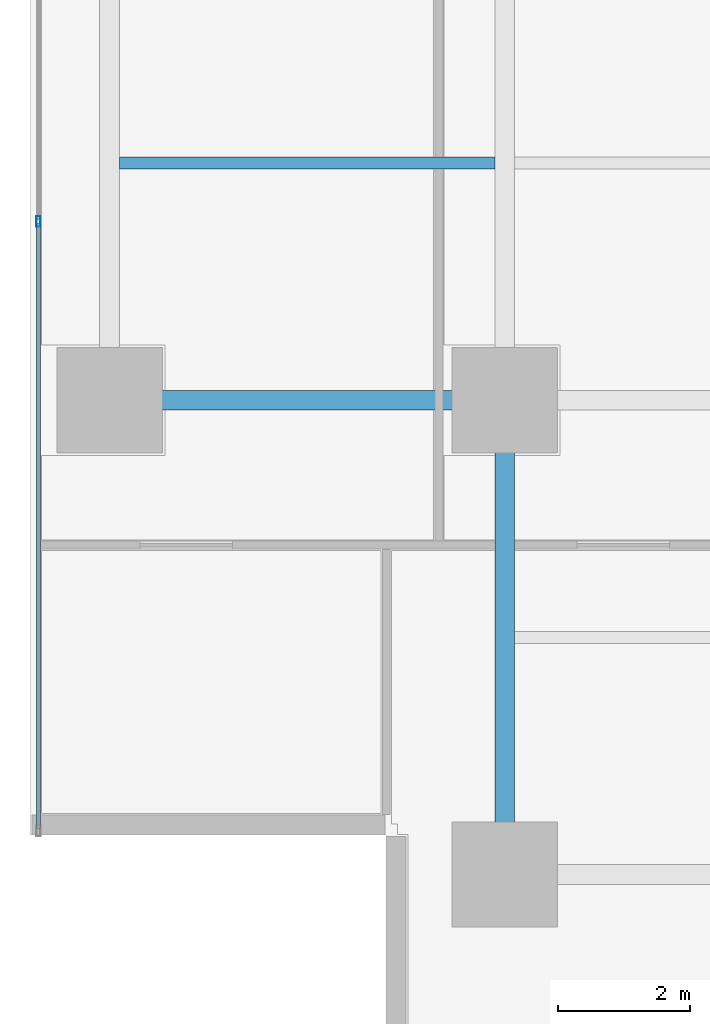
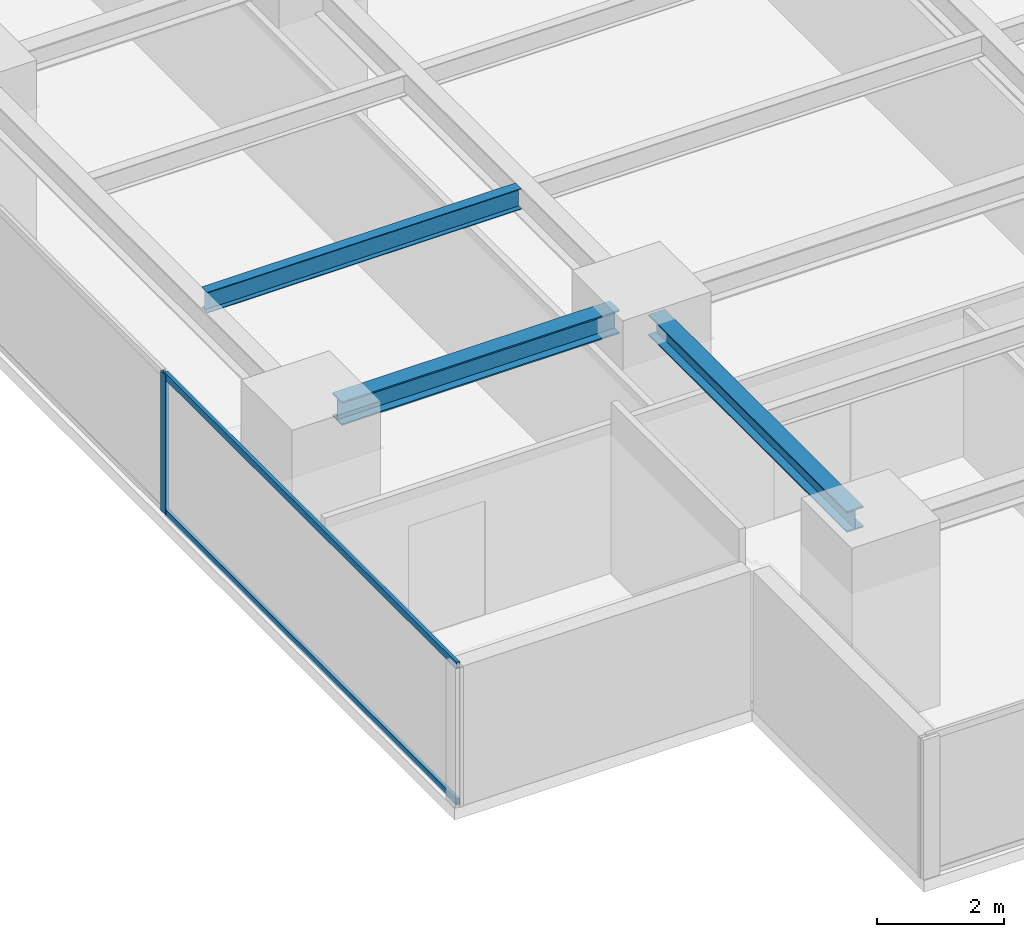
# One storey, part 3 of 28: 3 beams, 3 members, 1 element without a shape of its own.
"""IFC4 building model written with IfcOpenShell, lengths in metres."""

from ifc_helpers import new_model, si_unit, direction, frame, origin, origin_2d, place, context, subcontext, project, spatial, hollow_rectangle, i_section, extrude, source, transform, mapped, material, layer, layer_set, material_profile, profile_set, type_object, element, aggregate, save


model = new_model("IFC4")

# Units and contexts
model_context = context("Model", 3, precision=1e-05, world=origin(), true_north=direction((0.0, 1.0)))
body_context = subcontext(model_context, "Body", "Model", "MODEL_VIEW")
ifc_project = project(units=[si_unit("LENGTHUNIT", "METRE"), si_unit("AREAUNIT", "SQUARE_METRE"), si_unit("VOLUMEUNIT", "CUBIC_METRE"), si_unit("PLANEANGLEUNIT", "RADIAN"), si_unit("MASSUNIT", "GRAM", prefix="KILO")], contexts=[model_context])

# Site, building, storey
site_placement = place(None, origin())
site = spatial("IfcSite", under=ifc_project, at=site_placement, CompositionType="ELEMENT")
building_placement = place(site_placement, origin())
building = spatial("IfcBuilding", under=site, at=building_placement, Name="Sumidabori Civic Tower", CompositionType="ELEMENT")
storey_placement = place(building_placement, frame((0.0, 0.0, 185.60009765625)))
storey = spatial("IfcBuildingStorey", under=building, at=storey_placement, Name="L48", CompositionType="ELEMENT", Elevation=185.60009765625)

# Beams
ifc_material_1 = material(Name="Steel SN490", Category="steel")
ifc_material_profile_1 = material_profile(ifc_material_1, i_section(OverallWidth=0.300048828125, OverallDepth=0.39990234375, WebThickness=0.013427734375, FlangeThickness=0.02392578125, at=origin_2d()), Name="HE 400 B")
ifc_profile_set_1 = profile_set([ifc_material_profile_1], Name="Steel SN490")
beam_type_1 = type_object("IfcBeamType", Name="BM-GIRD-400", PredefinedType="BEAM", material=ifc_profile_set_1)
shared_shape_1 = source(origin(), body_context, "Body", "SweptSolid", [
    extrude(i_section(OverallWidth=0.300048828125, OverallDepth=0.39990234375, WebThickness=0.013427734375, FlangeThickness=0.02392578125, at=origin_2d()), origin(), (0.0, 0.0, 1.0), 6.239990234375),
])
beam_1_placement = place(storey_placement, frame((-16.800048828125, -17.52001953125, 3.099853515625), z_axis=(0.0, 1.0, 0.0), x_axis=(-1.0, 0.0, 0.0)))
element("IfcBeam", 1, at=beam_1_placement, inside=storey, type_object=beam_type_1, Name="Primary Girder L48 GY-22", PredefinedType="BEAM", context=body_context, shape_type="MappedRepresentation", body=[
    mapped(shared_shape_1, transform((0.0, 0.0, 0.0), x_axis=(1.0, 0.0, 0.0), y_axis=(0.0, 1.0, 0.0), z_axis=(0.0, 0.0, 1.0), scale=1.0)),
])
ifc_material_profile_2 = material_profile(ifc_material_1, i_section(OverallWidth=0.179931640625, OverallDepth=0.39990234375, WebThickness=0.008544921875, FlangeThickness=0.013427734375, at=origin_2d()), Name="IPE 400")
ifc_profile_set_2 = profile_set([ifc_material_profile_2], Name="Steel SN490")
beam_type_2 = type_object("IfcBeamType", Name="BM-JST-400", PredefinedType="JOIST", material=ifc_profile_set_2)
shared_shape_2 = source(origin(), body_context, "Body", "SweptSolid", [
    extrude(i_section(OverallWidth=0.179931640625, OverallDepth=0.39990234375, WebThickness=0.008544921875, FlangeThickness=0.013427734375, at=origin_2d()), origin(), (0.0, 0.0, 1.0), 5.699951171875),
])
beam_2_placement = place(storey_placement, frame((-22.64990234375, -7.199951171875, 3.099853515625), z_axis=(1.0, 0.0, 0.0), x_axis=(0.0, 1.0, 0.0)))
element("IfcBeam", 2, at=beam_2_placement, inside=storey, type_object=beam_type_2, Name="Outer Bay Floor Joist L48 JSTO-39", PredefinedType="JOIST", context=body_context, shape_type="MappedRepresentation", body=[
    mapped(shared_shape_2, transform((0.0, 0.0, 0.0), x_axis=(1.0, 0.0, 0.0), y_axis=(0.0, 1.0, 0.0), z_axis=(0.0, 0.0, 1.0), scale=1.0)),
])
ifc_material_profile_3 = material_profile(ifc_material_1, i_section(OverallWidth=0.300048828125, OverallDepth=0.449951171875, WebThickness=0.013916015625, FlangeThickness=0.02587890625, at=origin_2d()), Name="HE 450 B")
ifc_profile_set_3 = profile_set([ifc_material_profile_3], Name="Steel SN490")
beam_type_3 = type_object("IfcBeamType", Name="BM-GIRD-450", PredefinedType="BEAM", material=ifc_profile_set_3)
shared_shape_3 = source(origin(), body_context, "Body", "SweptSolid", [
    extrude(i_section(OverallWidth=0.300048828125, OverallDepth=0.449951171875, WebThickness=0.013916015625, FlangeThickness=0.02587890625, at=origin_2d()), origin(), (0.0, 0.0, 1.0), 5.0400390625),
])
beam_3_placement = place(storey_placement, frame((-22.320068359375, -10.800048828125, 3.074951171875), z_axis=(1.0, 0.0, 0.0), x_axis=(0.0, 1.0, 0.0)))
element("IfcBeam", 3, at=beam_3_placement, inside=storey, type_object=beam_type_3, Name="Primary Girder L48 GX-05", PredefinedType="BEAM", context=body_context, shape_type="MappedRepresentation", body=[
    mapped(shared_shape_3, transform((0.0, 0.0, 0.0), x_axis=(1.0, 0.0, 0.0), y_axis=(0.0, 1.0, 0.0), z_axis=(0.0, 0.0, 1.0), scale=1.0)),
])

# Curtain wall, members
ifc_material_2 = material(Name="Anodised Bronze Aluminium AW-6063-T6", Category="aluminium")
ifc_layer = layer(ifc_material_2, 0.179931640625, Name="Anodised Bronze Aluminium AW-6063-T6")
ifc_layer_set = layer_set([ifc_layer], Name="Anodised Bronze Aluminium AW-6063-T6")
curtain_wall_type = type_object("IfcCurtainWallType", Name="CW-SYS-3", PredefinedType="NOTDEFINED", material=ifc_layer_set)
curtain_wall_placement = place(storey_placement, origin())
curtain_wall = element("IfcCurtainWall", 4, at=curtain_wall_placement, inside=storey, type_object=curtain_wall_type, Name="Curtain Wall CW:L48:R10", PredefinedType="NOTDEFINED")
ifc_material_profile_4 = material_profile(ifc_material_2, hollow_rectangle(XDim=0.06494140625, YDim=0.159912109375, WallThickness=0.0048828125, at=origin_2d()), Name="ALU MULLION 160x65")
ifc_profile_set_4 = profile_set([ifc_material_profile_4], Name="Anodised Bronze Aluminium AW-6063-T6")
member_type_1 = type_object("IfcMemberType", Name="CW-MUL-160", PredefinedType="MULLION", material=ifc_profile_set_4)
shared_shape_4 = source(origin(), body_context, "Body", "SweptSolid", [
    extrude(hollow_rectangle(XDim=0.06494140625, YDim=0.159912109375, WallThickness=0.0048828125, at=origin_2d()), origin(), (0.0, 0.0, 1.0), 2.679931640625),
])
member_1_placement = place(storey_placement, frame((-23.8798828125, -8.0849609375, 0.0), z_axis=(0.0, 0.0, 1.0), x_axis=(1.0, 0.0, 0.0)))
member_1 = element("IfcMember", 5, at=member_1_placement, type_object=member_type_1, Name="CW-3 mullion 4", PredefinedType="MULLION", context=body_context, shape_type="MappedRepresentation", body=[
    mapped(shared_shape_4, transform((0.0, 0.0, 0.0), x_axis=(1.0, 0.0, 0.0), y_axis=(0.0, 1.0, 0.0), z_axis=(0.0, 0.0, 1.0), scale=1.0)),
])
ifc_material_profile_5 = material_profile(ifc_material_2, hollow_rectangle(XDim=0.06005859375, YDim=0.1298828125, WallThickness=0.0048828125, at=origin_2d()), Name="ALU TRANSOM 130x60")
ifc_profile_set_5 = profile_set([ifc_material_profile_5], Name="Anodised Bronze Aluminium AW-6063-T6")
member_type_2 = type_object("IfcMemberType", Name="CW-TRN-130", PredefinedType="USERDEFINED", material=ifc_profile_set_5)
shared_shape_5 = source(origin(), body_context, "Body", "SweptSolid", [
    extrude(hollow_rectangle(XDim=0.06005859375, YDim=0.1298828125, WallThickness=0.0048828125, at=origin_2d()), origin(), (0.0, 0.0, 1.0), 9.1875),
])
member_2_placement = place(storey_placement, frame((-23.8798828125, -8.117431640625, 0.02978515625), z_axis=(0.0, -1.0, 0.0), x_axis=(1.0, 0.0, 0.0)))
member_2 = element("IfcMember", 6, at=member_2_placement, type_object=member_type_2, Name="CW-3 transom 4.1", ObjectType="TRANSOM", PredefinedType="USERDEFINED", context=body_context, shape_type="MappedRepresentation", body=[
    mapped(shared_shape_5, transform((0.0, 0.0, 0.0), x_axis=(1.0, 0.0, 0.0), y_axis=(0.0, 1.0, 0.0), z_axis=(0.0, 0.0, 1.0), scale=1.0)),
])
member_3_placement = place(storey_placement, frame((-23.8798828125, -8.117431640625, 2.64990234375), z_axis=(0.0, -1.0, 0.0), x_axis=(1.0, 0.0, 0.0)))
member_3 = element("IfcMember", 7, at=member_3_placement, type_object=member_type_2, Name="CW-3 transom 4.2", ObjectType="TRANSOM", PredefinedType="USERDEFINED", context=body_context, shape_type="MappedRepresentation", body=[
    mapped(shared_shape_5, transform((0.0, 0.0, 0.0), x_axis=(1.0, 0.0, 0.0), y_axis=(0.0, 1.0, 0.0), z_axis=(0.0, 0.0, 1.0), scale=1.0)),
])
aggregate(curtain_wall, [member_1, member_2, member_3])

save(model, "model.ifc")
